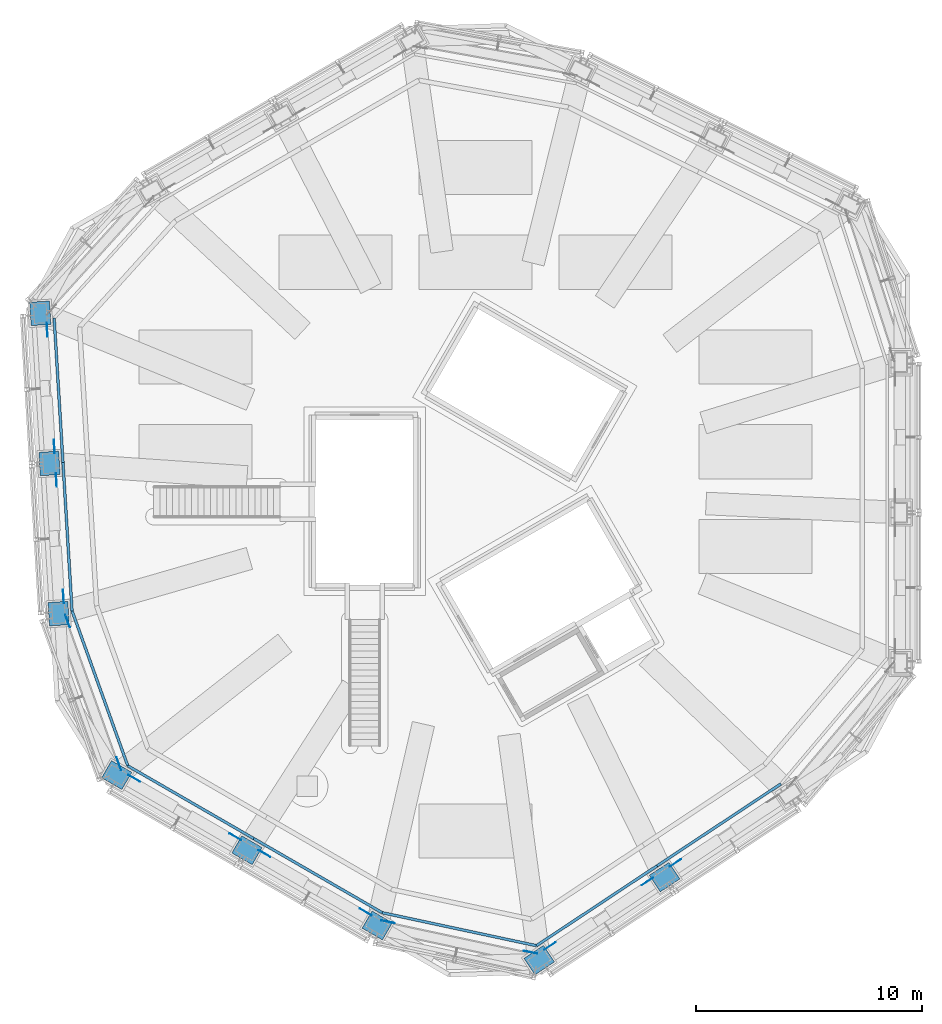
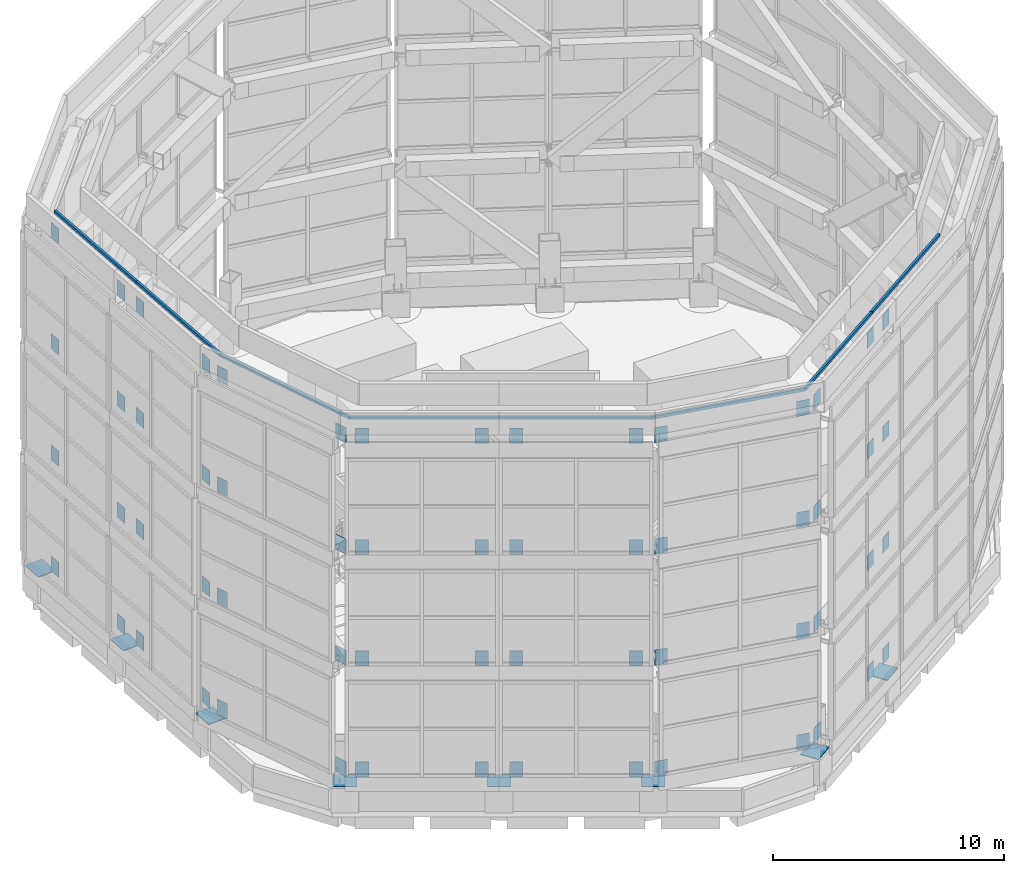
# One storey, part 23 of 46: 76 discrete accessories.
"""IFC4 building model written with IfcOpenShell, lengths in metres."""

from ifc_helpers import new_model, si_unit, direction, frame, origin, origin_2d, place, context, subcontext, project, spatial, rectangle, extrude, material, layer, layer_set, type_object, element, save


model = new_model("IFC4")

# Units and contexts
model_context = context("Model", 3, precision=1e-05, world=origin(), true_north=direction((0.0, 1.0)))
body_context = subcontext(model_context, "Body", "Model", "MODEL_VIEW")
ifc_project = project(units=[si_unit("LENGTHUNIT", "METRE"), si_unit("AREAUNIT", "SQUARE_METRE"), si_unit("VOLUMEUNIT", "CUBIC_METRE"), si_unit("PLANEANGLEUNIT", "RADIAN"), si_unit("MASSUNIT", "GRAM", prefix="KILO")], contexts=[model_context])

# Site, building, storey
site_placement = place(None, origin())
site = spatial("IfcSite", under=ifc_project, at=site_placement, CompositionType="ELEMENT")
building_placement = place(site_placement, origin())
building = spatial("IfcBuilding", under=site, at=building_placement, Name="Vanh Sen Convention Tower", CompositionType="ELEMENT")
storey_placement = place(building_placement, frame((0.0, 0.0, 305.0)))
storey = spatial("IfcBuildingStorey", under=building, at=storey_placement, Name="Roof level", CompositionType="ELEMENT", Elevation=305.0)

# Discrete accessories
ifc_material_1 = material(Name="Steel S355", Category="steel")
discrete_accessory_type_1 = type_object("IfcDiscreteAccessoryType", Name="BMU track rail 120 x 150", PredefinedType="USERDEFINED", material=ifc_material_1)
discrete_accessory_1_placement = place(storey_placement, frame((-18.51123046875, 4.531982421875, 20.0), z_axis=(0.0, 0.0, 1.0), x_axis=(0.061048539535, -0.998134798422, 0.0)))
element("IfcDiscreteAccessory", 1, at=discrete_accessory_1_placement, inside=storey, type_object=discrete_accessory_type_1, Name="BMU track rail 08", ObjectType="BMU TRACK", PredefinedType="USERDEFINED", context=body_context, shape_type="SweptSolid", body=[
    extrude(rectangle(XDim=6.411376953125, YDim=0.1201171875, at=origin_2d()), origin(), (0.0, 0.0, 1.0), 0.14990234375),
])
discrete_accessory_2_placement = place(storey_placement, frame((-18.11474609375, -1.949951171875, 20.0), z_axis=(0.0, 0.0, 1.0), x_axis=(0.061043313312, -0.998135118058, 0.0)))
element("IfcDiscreteAccessory", 2, at=discrete_accessory_2_placement, inside=storey, type_object=discrete_accessory_type_1, Name="BMU track rail 09", ObjectType="BMU TRACK", PredefinedType="USERDEFINED", context=body_context, shape_type="SweptSolid", body=[
    extrude(rectangle(XDim=6.577392578125, YDim=0.1201171875, at=origin_2d()), origin(), (0.0, 0.0, 1.0), 0.14990234375),
])
discrete_accessory_3_placement = place(storey_placement, frame((-16.6796875, -8.665283203125, 20.0), z_axis=(0.0, 0.0, 1.0), x_axis=(0.338358556831, -0.941017261807, 0.0)))
element("IfcDiscreteAccessory", 3, at=discrete_accessory_3_placement, inside=storey, type_object=discrete_accessory_type_1, Name="BMU track rail 10", ObjectType="BMU TRACK", PredefinedType="USERDEFINED", context=body_context, shape_type="SweptSolid", body=[
    extrude(rectangle(XDim=7.2958984375, YDim=0.1201171875, at=origin_2d()), origin(), (0.0, 0.0, 1.0), 0.14990234375),
])
discrete_accessory_4_placement = place(storey_placement, frame((-12.6552734375, -13.708984375, 20.0), z_axis=(0.0, 0.0, 1.0), x_axis=(0.866017549696, -0.500013603434, 0.0)))
element("IfcDiscreteAccessory", 4, at=discrete_accessory_4_placement, inside=storey, type_object=discrete_accessory_type_1, Name="BMU track rail 11", ObjectType="BMU TRACK", PredefinedType="USERDEFINED", context=body_context, shape_type="SweptSolid", body=[
    extrude(rectangle(XDim=6.443603515625, YDim=0.1201171875, at=origin_2d()), origin(), (0.0, 0.0, 1.0), 0.14990234375),
])
discrete_accessory_5_placement = place(storey_placement, frame((-7.020751953125, -16.962158203125, 20.0), z_axis=(0.0, 0.0, 1.0), x_axis=(0.866029767075, -0.499992442484, 0.0)))
element("IfcDiscreteAccessory", 5, at=discrete_accessory_5_placement, inside=storey, type_object=discrete_accessory_type_1, Name="BMU track rail 12", ObjectType="BMU TRACK", PredefinedType="USERDEFINED", context=body_context, shape_type="SweptSolid", body=[
    extrude(rectangle(XDim=6.568603515625, YDim=0.1201171875, at=origin_2d()), origin(), (0.0, 0.0, 1.0), 0.14990234375),
])
discrete_accessory_6_placement = place(storey_placement, frame((-0.759521484375, -19.33544921875, 20.0), z_axis=(0.0, 0.0, 1.0), x_axis=(0.977866573917, -0.209229452077, 0.0)))
element("IfcDiscreteAccessory", 6, at=discrete_accessory_6_placement, inside=storey, type_object=discrete_accessory_type_1, Name="BMU track rail 13", ObjectType="BMU TRACK", PredefinedType="USERDEFINED", context=body_context, shape_type="SweptSolid", body=[
    extrude(rectangle(XDim=6.988525390625, YDim=0.1201171875, at=origin_2d()), origin(), (0.0, 0.0, 1.0), 0.14990234375),
])
discrete_accessory_7_placement = place(storey_placement, frame((5.33056640625, -18.297119140625, 20.0), z_axis=(0.0, 0.0, 1.0), x_axis=(0.833895455058, 0.551922431175, 0.0)))
element("IfcDiscreteAccessory", 7, at=discrete_accessory_7_placement, inside=storey, type_object=discrete_accessory_type_1, Name="BMU track rail 14", ObjectType="BMU TRACK", PredefinedType="USERDEFINED", context=body_context, shape_type="SweptSolid", body=[
    extrude(rectangle(XDim=6.4111328125, YDim=0.1201171875, at=origin_2d()), origin(), (0.0, 0.0, 1.0), 0.14990234375),
])
discrete_accessory_8_placement = place(storey_placement, frame((10.74609375, -14.712890625, 20.0), z_axis=(0.0, 0.0, 1.0), x_axis=(0.833883895439, 0.551939896119, 0.0)))
element("IfcDiscreteAccessory", 8, at=discrete_accessory_8_placement, inside=storey, type_object=discrete_accessory_type_1, Name="BMU track rail 15", ObjectType="BMU TRACK", PredefinedType="USERDEFINED", context=body_context, shape_type="SweptSolid", body=[
    extrude(rectangle(XDim=6.577392578125, YDim=0.1201171875, at=origin_2d()), origin(), (0.0, 0.0, 1.0), 0.14990234375),
])
ifc_material_2 = material(Name="Steel S355", Category="steel")
ifc_layer_1 = layer(ifc_material_2, 0.044921875)
ifc_layer_set_1 = layer_set([ifc_layer_1], Name="Steel S355")
discrete_accessory_type_2 = type_object("IfcDiscreteAccessoryType", Name="Crown column base plate 1040 x 880 x 45", PredefinedType="USERDEFINED", material=ifc_layer_set_1)
for number, where, z_axis, x_axis, name in (
    (9, (-19.3212890625, 7.94677734375, 1.300048828125), (0.0, 0.0, 1.0), (0.061048539535, -0.998134798422, 0.0), "BASE PLATE crown column 10"),
    (10, (-18.914306640625, 1.2958984375, 1.300048828125), (0.0, 0.0, 1.0), (0.061048539535, -0.998134798422, 0.0), "BASE PLATE crown column 11"),
    (11, (-18.507568359375, -5.35498046875, 1.300048828125), (0.0, 0.0, 1.0), (0.061048539535, -0.998134798422, 0.0), "BASE PLATE crown column 12"),
    (12, (-15.935791015625, -12.5078125, 1.300048828125), (0.0, 0.0, 1.0), (0.866025403784, -0.5, 0.0), "BASE PLATE crown column 13"),
    (13, (-10.1650390625, -15.839599609375, 1.300048828125), (0.0, 0.0, 1.0), (0.866025403784, -0.5, 0.0), "BASE PLATE crown column 14"),
    (14, (-4.39453125, -19.171142578125, 1.300048828125), (0.0, 0.0, 1.0), (0.866025403784, -0.5, 0.0), "BASE PLATE crown column 15"),
    (15, (2.7783203125, -20.7060546875, 1.300048828125), (0.0, 0.0, 1.0), (0.833885822067, 0.551936985312, 0.0), "BASE PLATE crown column 16"),
    (16, (8.3349609375, -17.0283203125, 1.300048828125), (0.0, 0.0, 1.0), (0.833885822067, 0.551936985312, 0.0), "BASE PLATE crown column 17"),
):
    element("IfcDiscreteAccessory", number, at=place(storey_placement, frame(where, z_axis=z_axis, x_axis=x_axis)), inside=storey, type_object=discrete_accessory_type_2, Name=name, ObjectType="BASE PLATE", PredefinedType="USERDEFINED", context=body_context, shape_type="SweptSolid", body=[
        extrude(rectangle(XDim=1.0400390625, YDim=0.8798828125, at=origin_2d()), origin(), (0.0, 0.0, 1.0), 0.044921875),
    ])
ifc_layer_2 = layer(ifc_material_2, 0.02001953125)
ifc_layer_set_2 = layer_set([ifc_layer_2], Name="Steel S355")
discrete_accessory_type_3 = type_object("IfcDiscreteAccessoryType", Name="Crown gusset plate 600 x 800 x 20", PredefinedType="USERDEFINED", material=ifc_layer_set_2)
for number, where, z_axis, x_axis, name in (
    (17, (-19.01611328125, 7.218994140625, 1.34521484375), (0.0, 0.0, 1.0), (0.061050281609, -0.998134691871, 0.0), "GUSSET PLATE ring beam 1 span 10 start"),
    (18, (-18.700439453125, 2.055419921875, 1.34521484375), (0.0, 0.0, 1.0), (-0.061050281609, 0.998134691871, 0.0), "GUSSET PLATE ring beam 1 span 10 end"),
    (19, (-18.609375, 0.568115234375, 1.34521484375), (0.0, 0.0, 1.0), (0.061052023682, -0.998134585316, 0.0), "GUSSET PLATE ring beam 1 span 11 start"),
    (20, (-18.293701171875, -4.595458984375, 1.34521484375), (0.0, 0.0, 1.0), (-0.061052023682, 0.998134585316, 0.0), "GUSSET PLATE ring beam 1 span 11 end"),
    (21, (-18.11376953125, -5.681640625, 1.34521484375), (0.0, 0.0, 1.0), (0.338348702503, -0.941020805038, 0.0), "GUSSET PLATE ring beam 1 span 12 start"),
    (22, (-15.840087890625, -12.005615234375, 1.34521484375), (0.0, 0.0, 1.0), (-0.338348702503, 0.941020805038, 0.0), "GUSSET PLATE ring beam 1 span 12 end"),
    (23, (-15.160400390625, -12.6552734375, 1.34521484375), (0.0, 0.0, 1.0), (0.866022785779, -0.500004534492, 0.0), "GUSSET PLATE ring beam 1 span 13 start"),
    (24, (-10.680419921875, -15.241943359375, 1.34521484375), (0.0, 0.0, 1.0), (-0.866022785779, 0.500004534492, 0.0), "GUSSET PLATE ring beam 1 span 13 end"),
    (25, (-9.389892578125, -15.98681640625, 1.34521484375), (0.0, 0.0, 1.0), (0.866028894422, -0.49999395399, 0.0), "GUSSET PLATE ring beam 1 span 14 start"),
    (26, (-4.90966796875, -18.573486328125, 1.34521484375), (0.0, 0.0, 1.0), (-0.866028894422, 0.49999395399, 0.0), "GUSSET PLATE ring beam 1 span 14 end"),
    (27, (-3.914794921875, -19.008056640625, 1.34521484375), (0.0, 0.0, 1.0), (0.977865113196, -0.209236278869, 0.0), "GUSSET PLATE ring beam 1 span 15 start"),
    (28, (2.392333984375, -20.357421875, 1.34521484375), (0.0, 0.0, 1.0), (-0.977865113196, 0.209236278869, 0.0), "GUSSET PLATE ring beam 1 span 15 end"),
    (29, (3.256103515625, -20.077880859375, 1.34521484375), (0.0, 0.0, 1.0), (0.833890638594, 0.551929708264, 0.0), "GUSSET PLATE ring beam 1 span 16 start"),
    (30, (7.5703125, -17.22265625, 1.34521484375), (0.0, 0.0, 1.0), (-0.833890638594, -0.551929708264, 0.0), "GUSSET PLATE ring beam 1 span 16 end"),
    (31, (8.8125, -16.400390625, 1.34521484375), (0.0, 0.0, 1.0), (0.833885822067, 0.551936985312, 0.0), "GUSSET PLATE ring beam 1 span 17 start"),
    (32, (-19.01611328125, 7.218994140625, 7.21337890625), (0.0, 0.0, 1.0), (0.061050281609, -0.998134691871, 0.0), "GUSSET PLATE ring beam 2 span 10 start"),
    (33, (-18.700439453125, 2.055419921875, 7.21337890625), (0.0, 0.0, 1.0), (-0.061050281609, 0.998134691871, 0.0), "GUSSET PLATE ring beam 2 span 10 end"),
    (34, (-18.609375, 0.568115234375, 7.21337890625), (0.0, 0.0, 1.0), (0.061052023682, -0.998134585316, 0.0), "GUSSET PLATE ring beam 2 span 11 start"),
    (35, (-18.293701171875, -4.595458984375, 7.21337890625), (0.0, 0.0, 1.0), (-0.061052023682, 0.998134585316, 0.0), "GUSSET PLATE ring beam 2 span 11 end"),
    (36, (-18.11376953125, -5.681640625, 7.21337890625), (0.0, 0.0, 1.0), (0.338348702503, -0.941020805038, 0.0), "GUSSET PLATE ring beam 2 span 12 start"),
    (37, (-15.840087890625, -12.005615234375, 7.21337890625), (0.0, 0.0, 1.0), (-0.338348702503, 0.941020805038, 0.0), "GUSSET PLATE ring beam 2 span 12 end"),
    (38, (-15.160400390625, -12.6552734375, 7.21337890625), (0.0, 0.0, 1.0), (0.866022785779, -0.500004534492, 0.0), "GUSSET PLATE ring beam 2 span 13 start"),
    (39, (-10.680419921875, -15.241943359375, 7.21337890625), (0.0, 0.0, 1.0), (-0.866022785779, 0.500004534492, 0.0), "GUSSET PLATE ring beam 2 span 13 end"),
    (40, (-9.389892578125, -15.98681640625, 7.21337890625), (0.0, 0.0, 1.0), (0.866028894422, -0.49999395399, 0.0), "GUSSET PLATE ring beam 2 span 14 start"),
    (41, (-4.90966796875, -18.573486328125, 7.21337890625), (0.0, 0.0, 1.0), (-0.866028894422, 0.49999395399, 0.0), "GUSSET PLATE ring beam 2 span 14 end"),
    (42, (-3.914794921875, -19.008056640625, 7.21337890625), (0.0, 0.0, 1.0), (0.977865113196, -0.209236278869, 0.0), "GUSSET PLATE ring beam 2 span 15 start"),
    (43, (2.392333984375, -20.357421875, 7.21337890625), (0.0, 0.0, 1.0), (-0.977865113196, 0.209236278869, 0.0), "GUSSET PLATE ring beam 2 span 15 end"),
    (44, (3.256103515625, -20.077880859375, 7.21337890625), (0.0, 0.0, 1.0), (0.833890638594, 0.551929708264, 0.0), "GUSSET PLATE ring beam 2 span 16 start"),
    (45, (7.5703125, -17.22265625, 7.21337890625), (0.0, 0.0, 1.0), (-0.833890638594, -0.551929708264, 0.0), "GUSSET PLATE ring beam 2 span 16 end"),
    (46, (8.8125, -16.400390625, 7.21337890625), (0.0, 0.0, 1.0), (0.833885822067, 0.551936985312, 0.0), "GUSSET PLATE ring beam 2 span 17 start"),
    (47, (-19.01611328125, 7.218994140625, 13.08154296875), (0.0, 0.0, 1.0), (0.061050281609, -0.998134691871, 0.0), "GUSSET PLATE ring beam 3 span 10 start"),
    (48, (-18.700439453125, 2.055419921875, 13.08154296875), (0.0, 0.0, 1.0), (-0.061050281609, 0.998134691871, 0.0), "GUSSET PLATE ring beam 3 span 10 end"),
    (49, (-18.609375, 0.568115234375, 13.08154296875), (0.0, 0.0, 1.0), (0.061052023682, -0.998134585316, 0.0), "GUSSET PLATE ring beam 3 span 11 start"),
    (50, (-18.293701171875, -4.595458984375, 13.08154296875), (0.0, 0.0, 1.0), (-0.061052023682, 0.998134585316, 0.0), "GUSSET PLATE ring beam 3 span 11 end"),
    (51, (-18.11376953125, -5.681640625, 13.08154296875), (0.0, 0.0, 1.0), (0.338348702503, -0.941020805038, 0.0), "GUSSET PLATE ring beam 3 span 12 start"),
    (52, (-15.840087890625, -12.005615234375, 13.08154296875), (0.0, 0.0, 1.0), (-0.338348702503, 0.941020805038, 0.0), "GUSSET PLATE ring beam 3 span 12 end"),
    (53, (-15.160400390625, -12.6552734375, 13.08154296875), (0.0, 0.0, 1.0), (0.866022785779, -0.500004534492, 0.0), "GUSSET PLATE ring beam 3 span 13 start"),
    (54, (-10.680419921875, -15.241943359375, 13.08154296875), (0.0, 0.0, 1.0), (-0.866022785779, 0.500004534492, 0.0), "GUSSET PLATE ring beam 3 span 13 end"),
    (55, (-9.389892578125, -15.98681640625, 13.08154296875), (0.0, 0.0, 1.0), (0.866028894422, -0.49999395399, 0.0), "GUSSET PLATE ring beam 3 span 14 start"),
    (56, (-4.90966796875, -18.573486328125, 13.08154296875), (0.0, 0.0, 1.0), (-0.866028894422, 0.49999395399, 0.0), "GUSSET PLATE ring beam 3 span 14 end"),
    (57, (-3.914794921875, -19.008056640625, 13.08154296875), (0.0, 0.0, 1.0), (0.977865113196, -0.209236278869, 0.0), "GUSSET PLATE ring beam 3 span 15 start"),
    (58, (2.392333984375, -20.357421875, 13.08154296875), (0.0, 0.0, 1.0), (-0.977865113196, 0.209236278869, 0.0), "GUSSET PLATE ring beam 3 span 15 end"),
    (59, (3.256103515625, -20.077880859375, 13.08154296875), (0.0, 0.0, 1.0), (0.833890638594, 0.551929708264, 0.0), "GUSSET PLATE ring beam 3 span 16 start"),
    (60, (7.5703125, -17.22265625, 13.08154296875), (0.0, 0.0, 1.0), (-0.833890638594, -0.551929708264, 0.0), "GUSSET PLATE ring beam 3 span 16 end"),
    (61, (8.8125, -16.400390625, 13.08154296875), (0.0, 0.0, 1.0), (0.833885822067, 0.551936985312, 0.0), "GUSSET PLATE ring beam 3 span 17 start"),
    (62, (-19.01611328125, 7.218994140625, 18.9501953125), (0.0, 0.0, 1.0), (0.061050281609, -0.998134691871, 0.0), "GUSSET PLATE ring beam 4 span 10 start"),
    (63, (-18.700439453125, 2.055419921875, 18.9501953125), (0.0, 0.0, 1.0), (-0.061050281609, 0.998134691871, 0.0), "GUSSET PLATE ring beam 4 span 10 end"),
    (64, (-18.609375, 0.568115234375, 18.9501953125), (0.0, 0.0, 1.0), (0.061052023682, -0.998134585316, 0.0), "GUSSET PLATE ring beam 4 span 11 start"),
    (65, (-18.293701171875, -4.595458984375, 18.9501953125), (0.0, 0.0, 1.0), (-0.061052023682, 0.998134585316, 0.0), "GUSSET PLATE ring beam 4 span 11 end"),
    (66, (-18.11376953125, -5.681640625, 18.9501953125), (0.0, 0.0, 1.0), (0.338348702503, -0.941020805038, 0.0), "GUSSET PLATE ring beam 4 span 12 start"),
    (67, (-15.840087890625, -12.005615234375, 18.9501953125), (0.0, 0.0, 1.0), (-0.338348702503, 0.941020805038, 0.0), "GUSSET PLATE ring beam 4 span 12 end"),
    (68, (-15.160400390625, -12.6552734375, 18.9501953125), (0.0, 0.0, 1.0), (0.866022785779, -0.500004534492, 0.0), "GUSSET PLATE ring beam 4 span 13 start"),
    (69, (-10.680419921875, -15.241943359375, 18.9501953125), (0.0, 0.0, 1.0), (-0.866022785779, 0.500004534492, 0.0), "GUSSET PLATE ring beam 4 span 13 end"),
    (70, (-9.389892578125, -15.98681640625, 18.9501953125), (0.0, 0.0, 1.0), (0.866028894422, -0.49999395399, 0.0), "GUSSET PLATE ring beam 4 span 14 start"),
    (71, (-4.90966796875, -18.573486328125, 18.9501953125), (0.0, 0.0, 1.0), (-0.866028894422, 0.49999395399, 0.0), "GUSSET PLATE ring beam 4 span 14 end"),
    (72, (-3.914794921875, -19.008056640625, 18.9501953125), (0.0, 0.0, 1.0), (0.977865113196, -0.209236278869, 0.0), "GUSSET PLATE ring beam 4 span 15 start"),
    (73, (2.392333984375, -20.357421875, 18.9501953125), (0.0, 0.0, 1.0), (-0.977865113196, 0.209236278869, 0.0), "GUSSET PLATE ring beam 4 span 15 end"),
    (74, (3.256103515625, -20.077880859375, 18.9501953125), (0.0, 0.0, 1.0), (0.833890638594, 0.551929708264, 0.0), "GUSSET PLATE ring beam 4 span 16 start"),
    (75, (7.5703125, -17.22265625, 18.9501953125), (0.0, 0.0, 1.0), (-0.833890638594, -0.551929708264, 0.0), "GUSSET PLATE ring beam 4 span 16 end"),
    (76, (8.8125, -16.400390625, 18.9501953125), (0.0, 0.0, 1.0), (0.833885822067, 0.551936985312, 0.0), "GUSSET PLATE ring beam 4 span 17 start"),
):
    element("IfcDiscreteAccessory", number, at=place(storey_placement, frame(where, z_axis=z_axis, x_axis=x_axis)), inside=storey, type_object=discrete_accessory_type_3, Name=name, ObjectType="GUSSET PLATE", PredefinedType="USERDEFINED", context=body_context, shape_type="SweptSolid", body=[
        extrude(rectangle(XDim=0.60009765625, YDim=0.02001953125, at=origin_2d()), origin(), (0.0, 0.0, 1.0), 0.800048828125),
    ])

save(model, "model.ifc")
